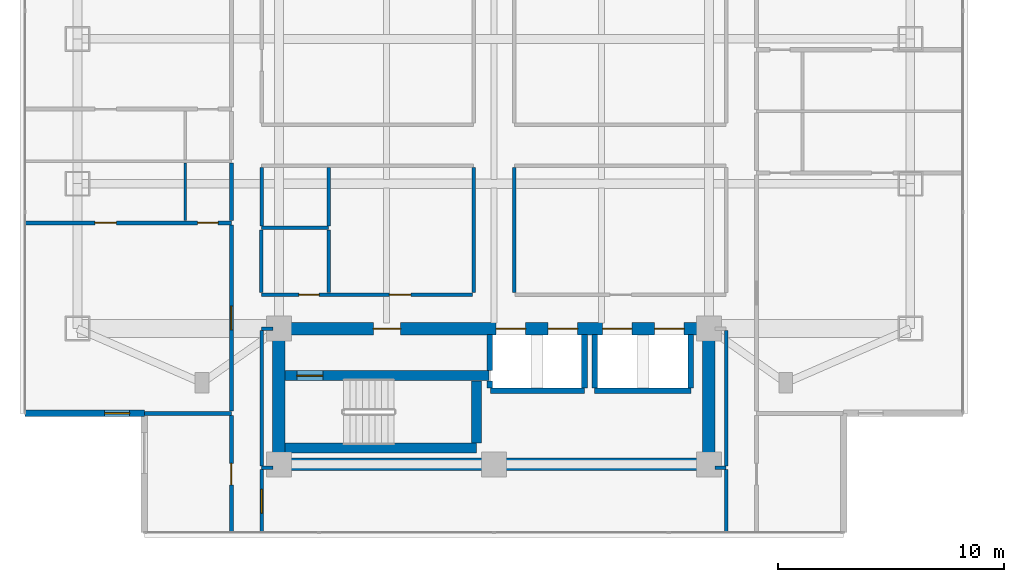
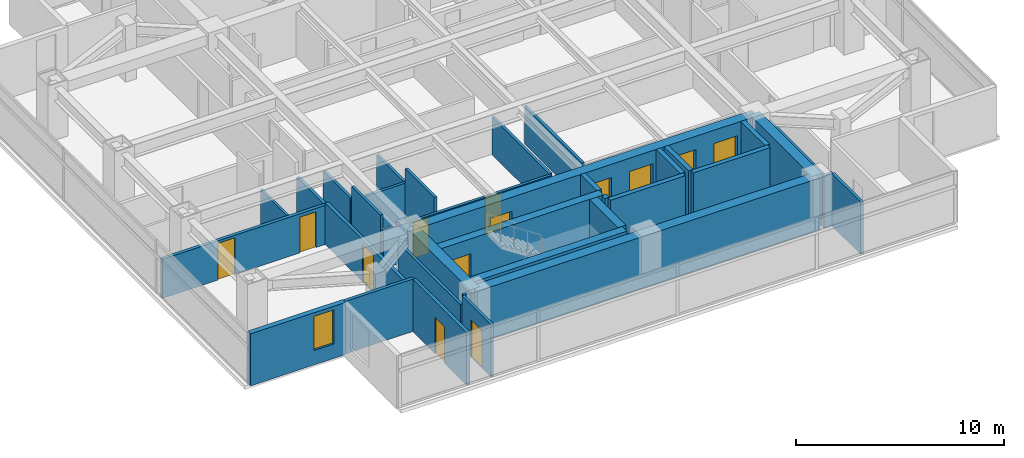
# One storey, part 14 of 26: 36 walls, 13 doors, 1 window, 14 openings.
"""IFC4 building model written with IfcOpenShell, lengths in metres."""

from ifc_helpers import new_model, si_unit, direction, frame, frame_2d, origin, place, context, subcontext, project, spatial, rectangle, extrude, material, layer, layer_set, type_object, element, fill, save


model = new_model("IFC4")

# Units and contexts
model_context = context("Model", 3, precision=1e-05, world=origin(), true_north=direction((0.0, 1.0)))
body_context = subcontext(model_context, "Body", "Model", "MODEL_VIEW")
ifc_project = project(units=[si_unit("LENGTHUNIT", "METRE"), si_unit("AREAUNIT", "SQUARE_METRE"), si_unit("VOLUMEUNIT", "CUBIC_METRE"), si_unit("PLANEANGLEUNIT", "RADIAN"), si_unit("MASSUNIT", "GRAM", prefix="KILO")], contexts=[model_context])

# Site, building, storey
site_placement = place(None, origin())
site = spatial("IfcSite", under=ifc_project, at=site_placement, CompositionType="ELEMENT")
building_placement = place(site_placement, origin())
building = spatial("IfcBuilding", under=site, at=building_placement, Name="Mirazonda Arch Towers", CompositionType="ELEMENT")
storey_placement = place(building_placement, frame((0.0, 0.0, 128.0)))
storey = spatial("IfcBuildingStorey", under=building, at=storey_placement, Name="L36", CompositionType="ELEMENT", Elevation=128.0)

# Wall
ifc_material_1 = material(Name="Concrete C50/60", Category="concrete")
ifc_layer_1 = layer(ifc_material_1, 0.449951171875, Name="WALL-CORE-450")
ifc_layer_set_1 = layer_set([ifc_layer_1], Name="Concrete C50/60")
wall_type_1 = type_object("IfcWallType", Name="WALL-CORE-450", PredefinedType="SHEAR", material=ifc_layer_set_1)
wall_1_placement = place(storey_placement, frame((11.27001953125, 13.1201171875, 0.0), z_axis=(0.0, 0.0, 1.0), x_axis=(1.0, 0.0, 0.0)))
element("IfcWall", 1, at=wall_1_placement, inside=storey, type_object=wall_type_1, Name="L36 Stair Core Shear Wall 003", PredefinedType="SHEAR", context=body_context, shape_type="SweptSolid", body=[
    extrude(rectangle(XDim=8.4599609375, YDim=0.449951171875, at=frame_2d((4.22998046875, 0.0))), origin(), (0.0, 0.0, 1.0), 3.080078125),
])

# Wall, opening, door
wall_2_placement = place(storey_placement, frame((11.27001953125, 16.320068359375, 0.0), z_axis=(0.0, 0.0, 1.0), x_axis=(1.0, 0.0, 0.0)))
wall_2 = element("IfcWall", 2, at=wall_2_placement, inside=storey, type_object=wall_type_1, Name="L36 Stair Core Shear Wall 008", PredefinedType="SHEAR", context=body_context, shape_type="SweptSolid", body=[
    extrude(rectangle(XDim=9.010009765625, YDim=0.449951171875, at=frame_2d((4.5048828125, 0.0))), origin(), (0.0, 0.0, 1.0), 3.080078125),
])
opening_1_placement = place(wall_2_placement, frame((0.52001953125, 0.0, 0.0)))
opening_1 = element("IfcOpeningElement", 3, at=opening_1_placement, cuts=wall_2, Name="Opening DR-135", PredefinedType="OPENING", context=body_context, shape_type="SweptSolid", body=[
    extrude(rectangle(XDim=1.14990234375, YDim=2.199951171875, at=frame_2d((0.574951171875, 1.10009765625))), frame((0.0, 0.23486328125, 0.0), z_axis=(0.0, -1.0, 0.0), x_axis=(1.0, 0.0, 0.0)), (0.0, 0.0, 1.0), 0.469970703125),
])
ifc_material_2 = material(Name="Architectural Brushed Steel S355", Category="steel")
door_type_1 = type_object("IfcDoorType", Name="DOOR-STAIR-FD90-1150", OperationType="NOTDEFINED", PredefinedType="DOOR", material=ifc_material_2)
door_1_placement = place(opening_1_placement, origin())
door_1 = element("IfcDoor", 4, at=door_1_placement, inside=storey, type_object=door_type_1, Name="L36 Protected Exit Stair South Door", OperationType="SINGLE_SWING_RIGHT", OverallHeight=2.199951171875, OverallWidth=1.14990234375, PredefinedType="DOOR", context=body_context, shape_type="SweptSolid", body=[
    extrude(rectangle(XDim=1.14990234375, YDim=2.199951171875, at=frame_2d((0.574951171875, 1.10009765625))), frame((0.0, 0.02490234375, 0.0), z_axis=(0.0, -1.0, 0.0), x_axis=(1.0, 0.0, 0.0)), (0.0, 0.0, 1.0), 0.050048828125),
])
fill(opening_1, door_1)

# Walls
wall_3_placement = place(storey_placement, frame((19.72998046875, 13.35498046875, 0.0), z_axis=(0.0, 0.0, 1.0), x_axis=(0.0, 1.0, 0.0)))
element("IfcWall", 5, at=wall_3_placement, inside=storey, type_object=wall_type_1, Name="L36 Stair Core Shear Wall 081", PredefinedType="SHEAR", context=body_context, shape_type="SweptSolid", body=[
    extrude(rectangle(XDim=2.72998046875, YDim=0.449951171875, at=frame_2d((1.364990234375, 0.0))), origin(), (0.0, 0.0, 1.0), 3.080078125),
])
ifc_layer_2 = layer(ifc_material_1, 0.550048828125, Name="WALL-CORE-550")
ifc_layer_set_2 = layer_set([ifc_layer_2], Name="Concrete C50/60")
wall_type_2 = type_object("IfcWallType", Name="WALL-CORE-550", PredefinedType="SHEAR", material=ifc_layer_set_2)
wall_4_placement = place(storey_placement, frame((11.0, 12.39990234375, 0.0), z_axis=(0.0, 0.0, 1.0), x_axis=(1.0, 0.0, 0.0)))
element("IfcWall", 6, at=wall_4_placement, inside=storey, type_object=wall_type_2, Name="L36 T1S-S Core Shear Wall", PredefinedType="SHEAR", context=body_context, shape_type="SweptSolid", body=[
    extrude(rectangle(XDim=19.0, YDim=0.550048828125, at=frame_2d((9.5, 0.0))), origin(), (0.0, 0.0, 1.0), 3.080078125),
])
for number, where, z_axis, x_axis, name in (
    (7, (11.0, 12.39990234375, 0.0), (0.0, 0.0, 1.0), (0.0, 1.0, 0.0), "L36 T1S-W Core Shear Wall"),
    (8, (30.0, 12.39990234375, 0.0), (0.0, 0.0, 1.0), (0.0, 1.0, 0.0), "L36 T1S-E Core Shear Wall"),
):
    element("IfcWall", number, at=place(storey_placement, frame(where, z_axis=z_axis, x_axis=x_axis)), inside=storey, type_object=wall_type_2, Name=name, PredefinedType="SHEAR", context=body_context, shape_type="SweptSolid", body=[
        extrude(rectangle(XDim=6.0, YDim=0.550048828125, at=frame_2d((3.0, 0.0))), origin(), (0.0, 0.0, 1.0), 3.080078125),
    ])

# Wall, openings, doors
wall_5_placement = place(storey_placement, frame((11.0, 18.39990234375, 0.0), z_axis=(0.0, 0.0, 1.0), x_axis=(1.0, 0.0, 0.0)))
wall_5 = element("IfcWall", 9, at=wall_5_placement, inside=storey, type_object=wall_type_2, Name="L36 T1S-N Core Shear Wall", PredefinedType="SHEAR", context=body_context, shape_type="SweptSolid", body=[
    extrude(rectangle(XDim=19.0, YDim=0.550048828125, at=frame_2d((9.5, 0.0))), origin(), (0.0, 0.0, 1.0), 3.080078125),
])
opening_2_placement = place(wall_5_placement, frame((4.175048828125, 0.0, 0.0)))
opening_2 = element("IfcOpeningElement", 10, at=opening_2_placement, cuts=wall_5, Name="Opening DR-117", PredefinedType="OPENING", context=body_context, shape_type="SweptSolid", body=[
    extrude(rectangle(XDim=1.199951171875, YDim=2.25, at=frame_2d((0.60009765625, 1.125))), frame((0.0, 0.284912109375, 0.0), z_axis=(0.0, -1.0, 0.0), x_axis=(1.0, 0.0, 0.0)), (0.0, 0.0, 1.0), 0.570068359375),
])
opening_3_placement = place(wall_5_placement, frame((9.60009765625, 0.0, 0.0)))
opening_3 = element("IfcOpeningElement", 11, at=opening_3_placement, cuts=wall_5, Name="Opening LD-111", PredefinedType="OPENING", context=body_context, shape_type="SweptSolid", body=[
    extrude(rectangle(XDim=1.300048828125, YDim=2.300048828125, at=frame_2d((0.64990234375, 1.14990234375))), frame((0.0, 0.284912109375, 0.0), z_axis=(0.0, -1.0, 0.0), x_axis=(1.0, 0.0, 0.0)), (0.0, 0.0, 1.0), 0.570068359375),
])
opening_4_placement = place(wall_5_placement, frame((11.89990234375, 0.0, 0.0)))
opening_4 = element("IfcOpeningElement", 12, at=opening_4_placement, cuts=wall_5, Name="Opening LD-111", PredefinedType="OPENING", context=body_context, shape_type="SweptSolid", body=[
    extrude(rectangle(XDim=1.300048828125, YDim=2.300048828125, at=frame_2d((0.64990234375, 1.14990234375))), frame((0.0, 0.284912109375, 0.0), z_axis=(0.0, -1.0, 0.0), x_axis=(1.0, 0.0, 0.0)), (0.0, 0.0, 1.0), 0.570068359375),
])
opening_5_placement = place(wall_5_placement, frame((14.300048828125, 0.0, 0.0)))
opening_5 = element("IfcOpeningElement", 13, at=opening_5_placement, cuts=wall_5, Name="Opening LD-111", PredefinedType="OPENING", context=body_context, shape_type="SweptSolid", body=[
    extrude(rectangle(XDim=1.300048828125, YDim=2.300048828125, at=frame_2d((0.64990234375, 1.14990234375))), frame((0.0, 0.284912109375, 0.0), z_axis=(0.0, -1.0, 0.0), x_axis=(1.0, 0.0, 0.0)), (0.0, 0.0, 1.0), 0.570068359375),
])
opening_6_placement = place(wall_5_placement, frame((16.60009765625, 0.0, 0.0)))
opening_6 = element("IfcOpeningElement", 14, at=opening_6_placement, cuts=wall_5, Name="Opening LD-111", PredefinedType="OPENING", context=body_context, shape_type="SweptSolid", body=[
    extrude(rectangle(XDim=1.300048828125, YDim=2.300048828125, at=frame_2d((0.64990234375, 1.14990234375))), frame((0.0, 0.284912109375, 0.0), z_axis=(0.0, -1.0, 0.0), x_axis=(1.0, 0.0, 0.0)), (0.0, 0.0, 1.0), 0.570068359375),
])
door_type_2 = type_object("IfcDoorType", Name="DOOR-FFL-FD90-1200", OperationType="NOTDEFINED", PredefinedType="DOOR", material=ifc_material_2)
door_2_placement = place(opening_2_placement, origin())
door_2 = element("IfcDoor", 15, at=door_2_placement, inside=storey, type_object=door_type_2, Name="L36 South Core Stair & Lift Lobby Door", OperationType="SINGLE_SWING_LEFT", OverallHeight=2.25, OverallWidth=1.199951171875, PredefinedType="DOOR", context=body_context, shape_type="SweptSolid", body=[
    extrude(rectangle(XDim=1.199951171875, YDim=2.25, at=frame_2d((0.60009765625, 1.125))), frame((0.0, 0.02490234375, 0.0), z_axis=(0.0, -1.0, 0.0), x_axis=(1.0, 0.0, 0.0)), (0.0, 0.0, 1.0), 0.050048828125),
])
fill(opening_2, door_2)
door_type_3 = type_object("IfcDoorType", Name="DOOR-LIFT-LAND-1300", OperationType="NOTDEFINED", PredefinedType="DOOR", material=ifc_material_2)
door_3_placement = place(opening_3_placement, origin())
door_3 = element("IfcDoor", 16, at=door_3_placement, inside=storey, type_object=door_type_3, Name="L36 Lift Landing Sliding Door PL-T1M1", OperationType="DOUBLE_DOOR_SLIDING", OverallHeight=2.300048828125, OverallWidth=1.300048828125, PredefinedType="DOOR", context=body_context, shape_type="SweptSolid", body=[
    extrude(rectangle(XDim=1.300048828125, YDim=2.300048828125, at=frame_2d((0.64990234375, 1.14990234375))), frame((0.0, 0.02490234375, 0.0), z_axis=(0.0, -1.0, 0.0), x_axis=(1.0, 0.0, 0.0)), (0.0, 0.0, 1.0), 0.050048828125),
])
fill(opening_3, door_3)
door_4_placement = place(opening_4_placement, origin())
door_4 = element("IfcDoor", 17, at=door_4_placement, inside=storey, type_object=door_type_3, Name="L36 Lift Landing Sliding Door PL-T1M2", OperationType="DOUBLE_DOOR_SLIDING", OverallHeight=2.300048828125, OverallWidth=1.300048828125, PredefinedType="DOOR", context=body_context, shape_type="SweptSolid", body=[
    extrude(rectangle(XDim=1.300048828125, YDim=2.300048828125, at=frame_2d((0.64990234375, 1.14990234375))), frame((0.0, 0.02490234375, 0.0), z_axis=(0.0, -1.0, 0.0), x_axis=(1.0, 0.0, 0.0)), (0.0, 0.0, 1.0), 0.050048828125),
])
fill(opening_4, door_4)
door_5_placement = place(opening_5_placement, origin())
door_5 = element("IfcDoor", 18, at=door_5_placement, inside=storey, type_object=door_type_3, Name="L36 Lift Landing Sliding Door PL-T1H1", OperationType="DOUBLE_DOOR_SLIDING", OverallHeight=2.300048828125, OverallWidth=1.300048828125, PredefinedType="DOOR", context=body_context, shape_type="SweptSolid", body=[
    extrude(rectangle(XDim=1.300048828125, YDim=2.300048828125, at=frame_2d((0.64990234375, 1.14990234375))), frame((0.0, 0.02490234375, 0.0), z_axis=(0.0, -1.0, 0.0), x_axis=(1.0, 0.0, 0.0)), (0.0, 0.0, 1.0), 0.050048828125),
])
fill(opening_5, door_5)
door_6_placement = place(opening_6_placement, origin())
door_6 = element("IfcDoor", 19, at=door_6_placement, inside=storey, type_object=door_type_3, Name="L36 Lift Landing Sliding Door PL-T1H2", OperationType="DOUBLE_DOOR_SLIDING", OverallHeight=2.300048828125, OverallWidth=1.300048828125, PredefinedType="DOOR", context=body_context, shape_type="SweptSolid", body=[
    extrude(rectangle(XDim=1.300048828125, YDim=2.300048828125, at=frame_2d((0.64990234375, 1.14990234375))), frame((0.0, 0.02490234375, 0.0), z_axis=(0.0, -1.0, 0.0), x_axis=(1.0, 0.0, 0.0)), (0.0, 0.0, 1.0), 0.050048828125),
])
fill(opening_6, door_6)

# Wall, opening, window
ifc_material_3 = material(Name="Precast Concrete C40/50", Category="concrete")
ifc_layer_3 = layer(ifc_material_3, 0.280029296875, Name="WALL-EXT-WALL-280")
ifc_layer_set_3 = layer_set([ifc_layer_3], Name="Precast Concrete C40/50")
wall_type_3 = type_object("IfcWallType", Name="WALL-EXT-WALL-280", PredefinedType="SOLIDWALL", material=ifc_layer_set_3)
wall_6_placement = place(storey_placement, frame((-0.219970703125, 14.656005859375, 0.0), z_axis=(0.0, 0.0, 1.0), x_axis=(1.0, 0.0, 0.0)))
wall_6 = element("IfcWall", 20, at=wall_6_placement, inside=storey, type_object=wall_type_3, Name="L36 T1 Corner Notch Return Wall WL-L36-T1-CSW2", PredefinedType="SOLIDWALL", context=body_context, shape_type="SweptSolid", body=[
    extrude(rectangle(XDim=5.27001953125, YDim=0.280029296875, at=frame_2d((2.635009765625, 0.0))), origin(), (0.0, 0.0, 1.0), 3.06005859375),
])
opening_7_placement = place(wall_6_placement, frame((3.52001953125, 0.0, 0.85009765625)))
opening_7 = element("IfcOpeningElement", 21, at=opening_7_placement, cuts=wall_6, Name="Opening WN-108", PredefinedType="OPENING", context=body_context, shape_type="SweptSolid", body=[
    extrude(rectangle(XDim=1.10009765625, YDim=2.0, at=frame_2d((0.550048828125, 1.0))), frame((0.0, 0.14990234375, 0.0), z_axis=(0.0, -1.0, 0.0), x_axis=(1.0, 0.0, 0.0)), (0.0, 0.0, 1.0), 0.300048828125),
])
ifc_material_4 = material(Name="Insulated Low-E Solar Glass", Category="glass")
window_type = type_object("IfcWindowType", Name="WIN-NOTCH-1100x2000", PartitioningType="SINGLE_PANEL", PredefinedType="WINDOW", material=ifc_material_4)
window_placement = place(opening_7_placement, origin())
window = element("IfcWindow", 22, at=window_placement, inside=storey, type_object=window_type, Name="L36 Punched Facade Window WN-L36-T1-CSW2", OverallHeight=2.0, OverallWidth=1.10009765625, PartitioningType="SINGLE_PANEL", PredefinedType="WINDOW", context=body_context, shape_type="SweptSolid", body=[
    extrude(rectangle(XDim=1.10009765625, YDim=2.0, at=frame_2d((0.550048828125, 1.0))), frame((0.0, 0.030029296875, 0.0), z_axis=(0.0, -1.0, 0.0), x_axis=(1.0, 0.0, 0.0)), (0.0, 0.0, 1.0), 0.06005859375),
])
fill(opening_7, window)

# Walls
ifc_material_5 = material(Name="Fire-Rated Gypsum Stud Partition")
ifc_layer_4 = layer(ifc_material_5, 0.14990234375, Name="WALL-PART-CORR-150")
ifc_layer_set_4 = layer_set([ifc_layer_4], Name="Fire-Rated Gypsum Stud Partition")
wall_type_4 = type_object("IfcWallType", Name="WALL-PART-CORR-150", PredefinedType="PARTITIONING", material=ifc_layer_set_4)
for number, where, z_axis, x_axis, name in (
    (23, (10.239990234375, 12.25, 0.0), (0.0, 0.0, 1.0), (1.0, 0.0, 0.0), "L36 Interior Partition 001"),
    (24, (30.27001953125, 12.25, 0.0), (0.0, 0.0, 1.0), (1.0, 0.0, 0.0), "L36 Interior Partition 002"),
):
    element("IfcWall", number, at=place(storey_placement, frame(where, z_axis=z_axis, x_axis=x_axis)), inside=storey, type_object=wall_type_4, Name=name, PredefinedType="PARTITIONING", context=body_context, shape_type="SweptSolid", body=[
        extrude(rectangle(XDim=0.489990234375, YDim=0.14990234375, at=frame_2d((0.2451171875, 0.0))), origin(), (0.0, 0.0, 1.0), 3.080078125),
    ])
wall_7_placement = place(storey_placement, frame((10.239990234375, 18.39990234375, 0.0), z_axis=(0.0, 0.0, 1.0), x_axis=(1.0, 0.0, 0.0)))
element("IfcWall", 25, at=wall_7_placement, inside=storey, type_object=wall_type_4, Name="L36 Interior Partition 012", PredefinedType="PARTITIONING", context=body_context, shape_type="SweptSolid", body=[
    extrude(rectangle(XDim=0.489990234375, YDim=0.14990234375, at=frame_2d((0.2451171875, 0.0))), origin(), (0.0, 0.0, 1.0), 2.4560546875),
])

# Wall, openings, doors
wall_8_placement = place(storey_placement, frame((10.219970703125, 19.89990234375, 0.0), z_axis=(0.0, 0.0, 1.0), x_axis=(1.0, 0.0, 0.0)))
wall_8 = element("IfcWall", 26, at=wall_8_placement, inside=storey, type_object=wall_type_4, Name="L36 Interior Partition 015", PredefinedType="PARTITIONING", context=body_context, shape_type="SweptSolid", body=[
    extrude(rectangle(XDim=9.340087890625, YDim=0.14990234375, at=frame_2d((4.669921875, 0.0))), origin(), (0.0, 0.0, 1.0), 2.216064453125),
])
opening_8_placement = place(wall_8_placement, frame((1.659912109375, 0.0, 0.0)))
opening_8 = element("IfcOpeningElement", 27, at=opening_8_placement, cuts=wall_8, Name="Opening DR-120", PredefinedType="OPENING", context=body_context, shape_type="SweptSolid", body=[
    extrude(rectangle(XDim=0.89990234375, YDim=2.10009765625, at=frame_2d((0.449951171875, 1.050048828125))), frame((0.0, 0.0849609375, 0.0), z_axis=(0.0, -1.0, 0.0), x_axis=(1.0, 0.0, 0.0)), (0.0, 0.0, 1.0), 0.169921875),
])
opening_9_placement = place(wall_8_placement, frame((5.6650390625, 0.0, 0.0)))
opening_9 = element("IfcOpeningElement", 28, at=opening_9_placement, cuts=wall_8, Name="Opening DR-104", PredefinedType="OPENING", context=body_context, shape_type="SweptSolid", body=[
    extrude(rectangle(XDim=0.949951171875, YDim=2.14990234375, at=frame_2d((0.47509765625, 1.074951171875))), frame((0.0, 0.0849609375, 0.0), z_axis=(0.0, -1.0, 0.0), x_axis=(1.0, 0.0, 0.0)), (0.0, 0.0, 1.0), 0.169921875),
])
door_type_4 = type_object("IfcDoorType", Name="DOOR-ROOM-950", OperationType="NOTDEFINED", PredefinedType="DOOR", material=ifc_material_2)
door_7_placement = place(opening_9_placement, origin())
door_7 = element("IfcDoor", 29, at=door_7_placement, inside=storey, type_object=door_type_4, Name="L36 L36 West Courtyard Study Door", OperationType="SINGLE_SWING_RIGHT", OverallHeight=2.14990234375, OverallWidth=0.949951171875, PredefinedType="DOOR", context=body_context, shape_type="SweptSolid", body=[
    extrude(rectangle(XDim=0.949951171875, YDim=2.14990234375, at=frame_2d((0.47509765625, 1.074951171875))), frame((0.0, 0.02490234375, 0.0), z_axis=(0.0, -1.0, 0.0), x_axis=(1.0, 0.0, 0.0)), (0.0, 0.0, 1.0), 0.050048828125),
])
fill(opening_9, door_7)
door_type_5 = type_object("IfcDoorType", Name="DOOR-WC-900", OperationType="NOTDEFINED", PredefinedType="DOOR", material=ifc_material_2)
door_8_placement = place(opening_8_placement, origin())
door_8 = element("IfcDoor", 30, at=door_8_placement, inside=storey, type_object=door_type_5, Name="L36 Common Accessible WC Door", OperationType="SINGLE_SWING_LEFT", OverallHeight=2.10009765625, OverallWidth=0.89990234375, PredefinedType="DOOR", context=body_context, shape_type="SweptSolid", body=[
    extrude(rectangle(XDim=0.89990234375, YDim=2.10009765625, at=frame_2d((0.449951171875, 1.050048828125))), frame((0.0, 0.02490234375, 0.0), z_axis=(0.0, -1.0, 0.0), x_axis=(1.0, 0.0, 0.0)), (0.0, 0.0, 1.0), 0.050048828125),
])
fill(opening_8, door_8)

# Walls
wall_9_placement = place(storey_placement, frame((10.219970703125, 22.85009765625, 0.0), z_axis=(0.0, 0.0, 1.0), x_axis=(1.0, 0.0, 0.0)))
element("IfcWall", 31, at=wall_9_placement, inside=storey, type_object=wall_type_4, Name="L36 Interior Partition 022", PredefinedType="PARTITIONING", context=body_context, shape_type="SweptSolid", body=[
    extrude(rectangle(XDim=2.97998046875, YDim=0.14990234375, at=frame_2d((1.489990234375, 0.0))), origin(), (0.0, 0.0, 1.0), 2.216064453125),
])
wall_10_placement = place(storey_placement, frame((10.219970703125, 19.985107421875, 0.0), z_axis=(0.0, 0.0, 1.0), x_axis=(0.0, 1.0, 0.0)))
element("IfcWall", 32, at=wall_10_placement, inside=storey, type_object=wall_type_4, Name="L36 Interior Partition 067", PredefinedType="PARTITIONING", context=body_context, shape_type="SweptSolid", body=[
    extrude(rectangle(XDim=2.77978515625, YDim=0.14990234375, at=frame_2d((1.389892578125, 0.0))), origin(), (0.0, 0.0, 1.0), 3.080078125),
])

# Wall, opening, door
wall_11_placement = place(storey_placement, frame((10.239990234375, 9.385986328125, 0.0), z_axis=(0.0, 0.0, 1.0), x_axis=(0.0, 1.0, 0.0)))
wall_11 = element("IfcWall", 33, at=wall_11_placement, inside=storey, type_object=wall_type_4, Name="L36 Interior Partition 068", PredefinedType="PARTITIONING", context=body_context, shape_type="SweptSolid", body=[
    extrude(rectangle(XDim=2.779052734375, YDim=0.14990234375, at=frame_2d((1.3896484375, 0.0))), origin(), (0.0, 0.0, 1.0), 3.080078125),
])
opening_10_placement = place(wall_11_placement, frame((0.864501953125, 0.0, 0.0)))
opening_10 = element("IfcOpeningElement", 34, at=opening_10_placement, cuts=wall_11, Name="Opening DR-121", PredefinedType="OPENING", context=body_context, shape_type="SweptSolid", body=[
    extrude(rectangle(XDim=1.050048828125, YDim=2.199951171875, at=frame_2d((0.52490234375, 1.10009765625))), frame((0.0, 0.0849609375, 0.0), z_axis=(0.0, -1.0, 0.0), x_axis=(1.0, 0.0, 0.0)), (0.0, 0.0, 1.0), 0.169921875),
])
door_type_6 = type_object("IfcDoorType", Name="DOOR-SUITE-FD60-1050", OperationType="NOTDEFINED", PredefinedType="DOOR", material=ifc_material_2)
door_9_placement = place(opening_10_placement, origin())
door_9 = element("IfcDoor", 35, at=door_9_placement, inside=storey, type_object=door_type_6, Name="L36 South Horizon Lounge Gallery Door", OperationType="SINGLE_SWING_RIGHT", OverallHeight=2.199951171875, OverallWidth=1.050048828125, PredefinedType="DOOR", context=body_context, shape_type="SweptSolid", body=[
    extrude(rectangle(XDim=1.050048828125, YDim=2.199951171875, at=frame_2d((0.52490234375, 1.10009765625))), frame((0.0, 0.02490234375, 0.0), z_axis=(0.0, -1.0, 0.0), x_axis=(1.0, 0.0, 0.0)), (0.0, 0.0, 1.0), 0.050048828125),
])
fill(opening_10, door_9)

# Walls
wall_12_placement = place(storey_placement, frame((10.239990234375, 12.3349609375, 0.0), z_axis=(0.0, 0.0, 1.0), x_axis=(0.0, 1.0, 0.0)))
element("IfcWall", 36, at=wall_12_placement, inside=storey, type_object=wall_type_4, Name="L36 Interior Partition 069", PredefinedType="PARTITIONING", context=body_context, shape_type="SweptSolid", body=[
    extrude(rectangle(XDim=5.97998046875, YDim=0.14990234375, at=frame_2d((2.989990234375, 0.0))), origin(), (0.0, 0.0, 1.0), 2.4560546875),
])
wall_13_placement = place(storey_placement, frame((10.239990234375, 22.93505859375, 0.0), z_axis=(0.0, 0.0, 1.0), x_axis=(0.0, 1.0, 0.0)))
element("IfcWall", 37, at=wall_13_placement, inside=storey, type_object=wall_type_4, Name="L36 Interior Partition 070", PredefinedType="PARTITIONING", context=body_context, shape_type="SweptSolid", body=[
    extrude(rectangle(XDim=2.579833984375, YDim=0.14990234375, at=frame_2d((1.2900390625, 0.0))), origin(), (0.0, 0.0, 1.0), 2.299072265625),
])
wall_14_placement = place(storey_placement, frame((13.199951171875, 19.985107421875, 0.0), z_axis=(0.0, 0.0, 1.0), x_axis=(0.0, 1.0, 0.0)))
element("IfcWall", 38, at=wall_14_placement, inside=storey, type_object=wall_type_4, Name="L36 Interior Partition 075", PredefinedType="PARTITIONING", context=body_context, shape_type="SweptSolid", body=[
    extrude(rectangle(XDim=2.77978515625, YDim=0.14990234375, at=frame_2d((1.389892578125, 0.0))), origin(), (0.0, 0.0, 1.0), 3.080078125),
])
wall_15_placement = place(storey_placement, frame((13.199951171875, 22.93505859375, 0.0), z_axis=(0.0, 0.0, 1.0), x_axis=(0.0, 1.0, 0.0)))
element("IfcWall", 39, at=wall_15_placement, inside=storey, type_object=wall_type_4, Name="L36 Interior Partition 076", PredefinedType="PARTITIONING", context=body_context, shape_type="SweptSolid", body=[
    extrude(rectangle(XDim=2.579833984375, YDim=0.14990234375, at=frame_2d((1.2900390625, 0.0))), origin(), (0.0, 0.0, 1.0), 2.216064453125),
])
for number, where, z_axis, x_axis, name in (
    (40, (19.60009765625, 19.985107421875, 0.0), (0.0, 0.0, 1.0), (0.0, 1.0, 0.0), "L36 Interior Partition 079"),
    (41, (21.39990234375, 19.985107421875, 0.0), (0.0, 0.0, 1.0), (0.0, 1.0, 0.0), "L36 Interior Partition 086"),
):
    element("IfcWall", number, at=place(storey_placement, frame(where, z_axis=z_axis, x_axis=x_axis)), inside=storey, type_object=wall_type_4, Name=name, PredefinedType="PARTITIONING", context=body_context, shape_type="SweptSolid", body=[
        extrude(rectangle(XDim=5.52978515625, YDim=0.14990234375, at=frame_2d((2.764892578125, 0.0))), origin(), (0.0, 0.0, 1.0), 2.216064453125),
    ])
wall_16_placement = place(storey_placement, frame((30.760009765625, 9.385986328125, 0.0), z_axis=(0.0, 0.0, 1.0), x_axis=(0.0, 1.0, 0.0)))
element("IfcWall", 42, at=wall_16_placement, inside=storey, type_object=wall_type_4, Name="L36 Interior Partition 096", PredefinedType="PARTITIONING", context=body_context, shape_type="SweptSolid", body=[
    extrude(rectangle(XDim=2.779052734375, YDim=0.14990234375, at=frame_2d((1.3896484375, 0.0))), origin(), (0.0, 0.0, 1.0), 3.080078125),
])
wall_17_placement = place(storey_placement, frame((30.760009765625, 12.3349609375, 0.0), z_axis=(0.0, 0.0, 1.0), x_axis=(0.0, 1.0, 0.0)))
element("IfcWall", 43, at=wall_17_placement, inside=storey, type_object=wall_type_4, Name="L36 Interior Partition 097", PredefinedType="PARTITIONING", context=body_context, shape_type="SweptSolid", body=[
    extrude(rectangle(XDim=5.97998046875, YDim=0.14990234375, at=frame_2d((2.989990234375, 0.0))), origin(), (0.0, 0.0, 1.0), 2.4560546875),
])
ifc_material_6 = material(Name="Fire-Rated Gypsum Twin-Stud Assembly")
ifc_layer_5 = layer(ifc_material_6, 0.179931640625, Name="WALL-PART-DEMISE-180")
ifc_layer_set_5 = layer_set([ifc_layer_5], Name="Fire-Rated Gypsum Twin-Stud Assembly")
wall_type_5 = type_object("IfcWallType", Name="WALL-PART-DEMISE-180", PredefinedType="PARTITIONING", material=ifc_layer_set_5)
wall_18_placement = place(storey_placement, frame((5.070068359375, 14.656005859375, 0.0), z_axis=(0.0, 0.0, 1.0), x_axis=(1.0, 0.0, 0.0)))
element("IfcWall", 44, at=wall_18_placement, inside=storey, type_object=wall_type_5, Name="L36 Interior Partition 004", PredefinedType="PARTITIONING", context=body_context, shape_type="SweptSolid", body=[
    extrude(rectangle(XDim=3.829833984375, YDim=0.179931640625, at=frame_2d((1.9150390625, 0.0))), origin(), (0.0, 0.0, 1.0), 3.080078125),
])

# Wall, openings, doors
wall_19_placement = place(storey_placement, frame((-0.219970703125, 23.072998046875, 0.0), z_axis=(0.0, 0.0, 1.0), x_axis=(1.0, 0.0, 0.0)))
wall_19 = element("IfcWall", 45, at=wall_19_placement, inside=storey, type_object=wall_type_5, Name="L36 Interior Partition 023", PredefinedType="PARTITIONING", context=body_context, shape_type="SweptSolid", body=[
    extrude(rectangle(XDim=9.119873046875, YDim=0.179931640625, at=frame_2d((4.56005859375, 0.0))), origin(), (0.0, 0.0, 1.0), 2.299072265625),
])
opening_11_placement = place(wall_19_placement, frame((3.0849609375, 0.0, 0.0)))
opening_11 = element("IfcOpeningElement", 46, at=opening_11_placement, cuts=wall_19, Name="Opening DR-104", PredefinedType="OPENING", context=body_context, shape_type="SweptSolid", body=[
    extrude(rectangle(XDim=0.949951171875, YDim=2.14990234375, at=frame_2d((0.47509765625, 1.074951171875))), frame((0.0, 0.099853515625, 0.0), z_axis=(0.0, -1.0, 0.0), x_axis=(1.0, 0.0, 0.0)), (0.0, 0.0, 1.0), 0.199951171875),
])
opening_12_placement = place(wall_19_placement, frame((7.6298828125, 0.0, 0.0)))
opening_12 = element("IfcOpeningElement", 47, at=opening_12_placement, cuts=wall_19, Name="Opening DR-120", PredefinedType="OPENING", context=body_context, shape_type="SweptSolid", body=[
    extrude(rectangle(XDim=0.89990234375, YDim=2.10009765625, at=frame_2d((0.449951171875, 1.050048828125))), frame((0.0, 0.099853515625, 0.0), z_axis=(0.0, -1.0, 0.0), x_axis=(1.0, 0.0, 0.0)), (0.0, 0.0, 1.0), 0.199951171875),
])
door_10_placement = place(opening_11_placement, origin())
door_10 = element("IfcDoor", 48, at=door_10_placement, inside=storey, type_object=door_type_4, Name="L36 Suite Bedroom 1 Door", OperationType="SINGLE_SWING_LEFT", OverallHeight=2.14990234375, OverallWidth=0.949951171875, PredefinedType="DOOR", context=body_context, shape_type="SweptSolid", body=[
    extrude(rectangle(XDim=0.949951171875, YDim=2.14990234375, at=frame_2d((0.47509765625, 1.074951171875))), frame((0.0, 0.02490234375, 0.0), z_axis=(0.0, -1.0, 0.0), x_axis=(1.0, 0.0, 0.0)), (0.0, 0.0, 1.0), 0.050048828125),
])
fill(opening_11, door_10)
door_11_placement = place(opening_12_placement, origin())
door_11 = element("IfcDoor", 49, at=door_11_placement, inside=storey, type_object=door_type_5, Name="L36 Suite En-Suite Bathroom 1 Door", OperationType="SINGLE_SWING_RIGHT", OverallHeight=2.10009765625, OverallWidth=0.89990234375, PredefinedType="DOOR", context=body_context, shape_type="SweptSolid", body=[
    extrude(rectangle(XDim=0.89990234375, YDim=2.10009765625, at=frame_2d((0.449951171875, 1.050048828125))), frame((0.0, 0.02490234375, 0.0), z_axis=(0.0, -1.0, 0.0), x_axis=(1.0, 0.0, 0.0)), (0.0, 0.0, 1.0), 0.050048828125),
])
fill(opening_12, door_11)

# Wall, opening, door
wall_20_placement = place(storey_placement, frame((8.89990234375, 9.385986328125, 0.0), z_axis=(0.0, 0.0, 1.0), x_axis=(0.0, 1.0, 0.0)))
wall_20 = element("IfcWall", 50, at=wall_20_placement, inside=storey, type_object=wall_type_5, Name="L36 Interior Partition 061", PredefinedType="PARTITIONING", context=body_context, shape_type="SweptSolid", body=[
    extrude(rectangle(XDim=5.169921875, YDim=0.179931640625, at=frame_2d((2.5849609375, 0.0))), origin(), (0.0, 0.0, 1.0), 3.080078125),
])
opening_13_placement = place(wall_20_placement, frame((2.110107421875, 0.0, 0.0)))
opening_13 = element("IfcOpeningElement", 51, at=opening_13_placement, cuts=wall_20, Name="Opening DR-104", PredefinedType="OPENING", context=body_context, shape_type="SweptSolid", body=[
    extrude(rectangle(XDim=0.949951171875, YDim=2.14990234375, at=frame_2d((0.47509765625, 1.074951171875))), frame((0.0, 0.099853515625, 0.0), z_axis=(0.0, -1.0, 0.0), x_axis=(1.0, 0.0, 0.0)), (0.0, 0.0, 1.0), 0.199951171875),
])
door_12_placement = place(opening_13_placement, origin())
door_12 = element("IfcDoor", 52, at=door_12_placement, inside=storey, type_object=door_type_4, Name="L36 South Horizon Lounge Alcove West Door", OperationType="SINGLE_SWING_LEFT", OverallHeight=2.14990234375, OverallWidth=0.949951171875, PredefinedType="DOOR", context=body_context, shape_type="SweptSolid", body=[
    extrude(rectangle(XDim=0.949951171875, YDim=2.14990234375, at=frame_2d((0.47509765625, 1.074951171875))), frame((0.0, 0.02490234375, 0.0), z_axis=(0.0, -1.0, 0.0), x_axis=(1.0, 0.0, 0.0)), (0.0, 0.0, 1.0), 0.050048828125),
])
fill(opening_13, door_12)

wall_21_placement = place(storey_placement, frame((8.89990234375, 14.756103515625, 0.0), z_axis=(0.0, 0.0, 1.0), x_axis=(0.0, 1.0, 0.0)))
wall_21 = element("IfcWall", 53, at=wall_21_placement, inside=storey, type_object=wall_type_5, Name="L36 Interior Partition 062", PredefinedType="PARTITIONING", context=body_context, shape_type="SweptSolid", body=[
    extrude(rectangle(XDim=8.216796875, YDim=0.179931640625, at=frame_2d((4.1083984375, 0.0))), origin(), (0.0, 0.0, 1.0), 2.4560546875),
])
opening_14_placement = place(wall_21_placement, frame((3.58349609375, 0.0, 0.0)))
opening_14 = element("IfcOpeningElement", 54, at=opening_14_placement, cuts=wall_21, Name="Opening DR-121", PredefinedType="OPENING", context=body_context, shape_type="SweptSolid", body=[
    extrude(rectangle(XDim=1.050048828125, YDim=2.199951171875, at=frame_2d((0.52490234375, 1.10009765625))), frame((0.0, 0.099853515625, 0.0), z_axis=(0.0, -1.0, 0.0), x_axis=(1.0, 0.0, 0.0)), (0.0, 0.0, 1.0), 0.199951171875),
])
door_13_placement = place(opening_14_placement, origin())
door_13 = element("IfcDoor", 55, at=door_13_placement, inside=storey, type_object=door_type_6, Name="L36 Presidential Hotel Suite 1 Door", OperationType="SINGLE_SWING_RIGHT", OverallHeight=2.199951171875, OverallWidth=1.050048828125, PredefinedType="DOOR", context=body_context, shape_type="SweptSolid", body=[
    extrude(rectangle(XDim=1.050048828125, YDim=2.199951171875, at=frame_2d((0.52490234375, 1.10009765625))), frame((0.0, 0.02490234375, 0.0), z_axis=(0.0, -1.0, 0.0), x_axis=(1.0, 0.0, 0.0)), (0.0, 0.0, 1.0), 0.050048828125),
])
fill(opening_14, door_13)

# Walls
wall_22_placement = place(storey_placement, frame((8.89990234375, 23.173095703125, 0.0), z_axis=(0.0, 0.0, 1.0), x_axis=(0.0, 1.0, 0.0)))
element("IfcWall", 56, at=wall_22_placement, inside=storey, type_object=wall_type_5, Name="L36 Interior Partition 063", PredefinedType="PARTITIONING", context=body_context, shape_type="SweptSolid", body=[
    extrude(rectangle(XDim=2.54736328125, YDim=0.179931640625, at=frame_2d((1.273681640625, 0.0))), origin(), (0.0, 0.0, 1.0), 2.299072265625),
])
ifc_material_7 = material(Name="Acoustic Fire-Rated Gypsum Partition")
ifc_layer_6 = layer(ifc_material_7, 0.125, Name="WALL-PART-UNIT-125")
ifc_layer_set_6 = layer_set([ifc_layer_6], Name="Acoustic Fire-Rated Gypsum Partition")
wall_type_6 = type_object("IfcWallType", Name="WALL-PART-UNIT-125", PredefinedType="PARTITIONING", material=ifc_layer_set_6)
wall_23_placement = place(storey_placement, frame((6.860107421875, 23.173095703125, 0.0), z_axis=(0.0, 0.0, 1.0), x_axis=(0.0, 1.0, 0.0)))
element("IfcWall", 57, at=wall_23_placement, inside=storey, type_object=wall_type_6, Name="L36 Interior Partition 059", PredefinedType="PARTITIONING", context=body_context, shape_type="SweptSolid", body=[
    extrude(rectangle(XDim=2.54736328125, YDim=0.125, at=frame_2d((1.273681640625, 0.0))), origin(), (0.0, 0.0, 1.0), 2.299072265625),
])
ifc_material_8 = material(Name="Concrete C40/50", Category="concrete")
ifc_layer_7 = layer(ifc_material_8, 0.25, Name="WALL-SHAFT-250")
ifc_layer_set_7 = layer_set([ifc_layer_7], Name="Concrete C40/50")
wall_type_7 = type_object("IfcWallType", Name="WALL-SHAFT-250", PredefinedType="SOLIDWALL", material=ifc_layer_set_7)
wall_24_placement = place(storey_placement, frame((20.35009765625, 15.64990234375, 0.0), z_axis=(0.0, 0.0, 1.0), x_axis=(1.0, 0.0, 0.0)))
element("IfcWall", 58, at=wall_24_placement, inside=storey, type_object=wall_type_7, Name="L36 Interior Partition 006", PredefinedType="SOLIDWALL", context=body_context, shape_type="SweptSolid", body=[
    extrude(rectangle(XDim=4.14990234375, YDim=0.25, at=frame_2d((2.074951171875, 0.0))), origin(), (0.0, 0.0, 1.0), 3.080078125),
])
wall_25_placement = place(storey_placement, frame((24.949951171875, 15.64990234375, 0.0), z_axis=(0.0, 0.0, 1.0), x_axis=(1.0, 0.0, 0.0)))
element("IfcWall", 59, at=wall_25_placement, inside=storey, type_object=wall_type_7, Name="L36 Interior Partition 007", PredefinedType="SOLIDWALL", context=body_context, shape_type="SweptSolid", body=[
    extrude(rectangle(XDim=4.25, YDim=0.25, at=frame_2d((2.125, 0.0))), origin(), (0.0, 0.0, 1.0), 3.080078125),
])
wall_26_placement = place(storey_placement, frame((20.31494140625, 15.784912109375, 0.0), z_axis=(0.0, 0.0, 1.0), x_axis=(0.0, 1.0, 0.0)))
element("IfcWall", 60, at=wall_26_placement, inside=storey, type_object=wall_type_7, Name="L36 Interior Partition 083", PredefinedType="SOLIDWALL", context=body_context, shape_type="SweptSolid", body=[
    extrude(rectangle(XDim=0.300048828125, YDim=0.25, at=frame_2d((0.14990234375, 0.0))), origin(), (0.0, 0.0, 1.0), 3.080078125),
])
wall_27_placement = place(storey_placement, frame((20.31494140625, 16.554931640625, 0.0), z_axis=(0.0, 0.0, 1.0), x_axis=(0.0, 1.0, 0.0)))
element("IfcWall", 61, at=wall_27_placement, inside=storey, type_object=wall_type_7, Name="L36 Interior Partition 084", PredefinedType="SOLIDWALL", context=body_context, shape_type="SweptSolid", body=[
    extrude(rectangle(XDim=1.574951171875, YDim=0.25, at=frame_2d((0.78759765625, 0.0))), origin(), (0.0, 0.0, 1.0), 3.080078125),
])
for number, where, z_axis, x_axis, name in (
    (62, (24.5, 15.784912109375, 0.0), (0.0, 0.0, 1.0), (0.0, 1.0, 0.0), "L36 Interior Partition 088"),
    (63, (24.949951171875, 15.784912109375, 0.0), (0.0, 0.0, 1.0), (0.0, 1.0, 0.0), "L36 Interior Partition 090"),
    (64, (29.199951171875, 15.784912109375, 0.0), (0.0, 0.0, 1.0), (0.0, 1.0, 0.0), "L36 Interior Partition 093"),
):
    element("IfcWall", number, at=place(storey_placement, frame(where, z_axis=z_axis, x_axis=x_axis)), inside=storey, type_object=wall_type_7, Name=name, PredefinedType="SOLIDWALL", context=body_context, shape_type="SweptSolid", body=[
        extrude(rectangle(XDim=2.344970703125, YDim=0.25, at=frame_2d((1.17236328125, 0.0))), origin(), (0.0, 0.0, 1.0), 3.080078125),
    ])

save(model, "model.ifc")
